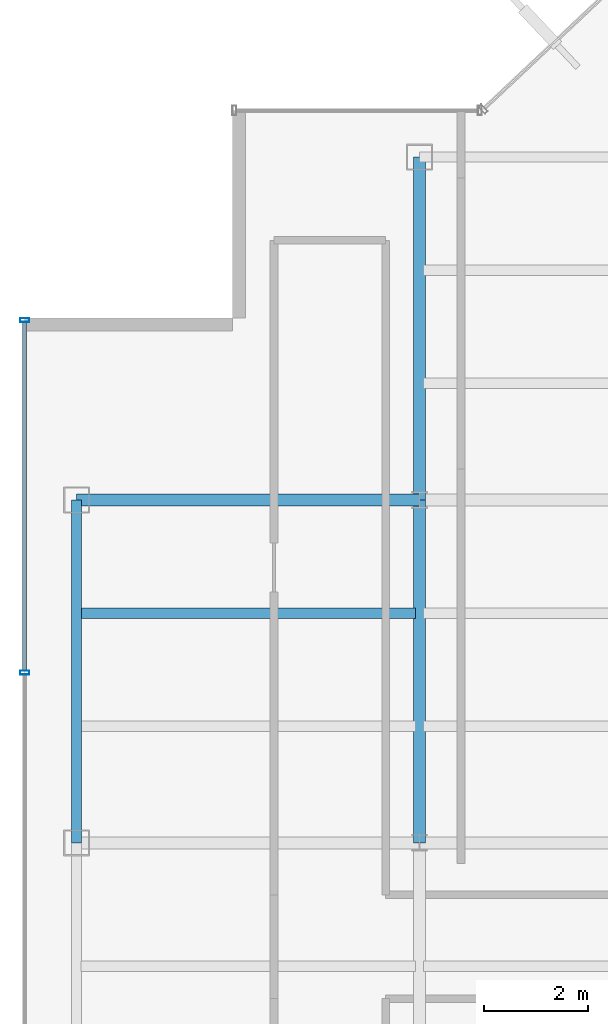
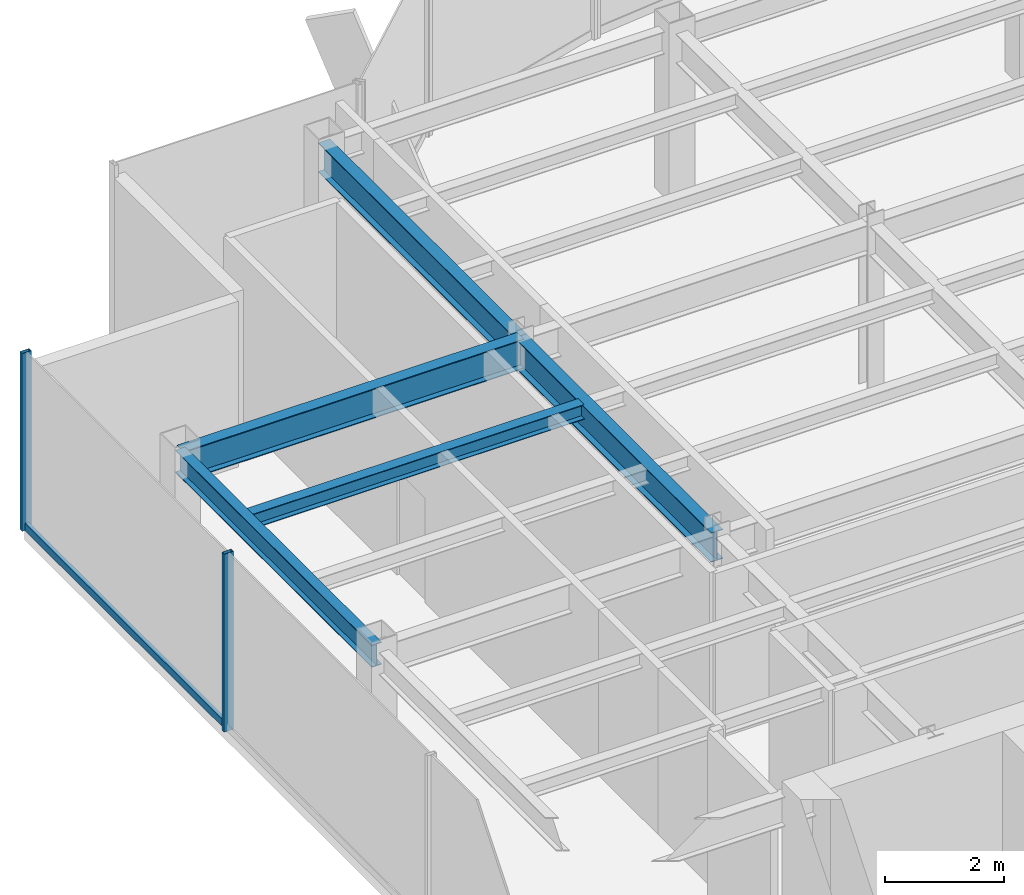
# One storey, part 7 of 22: 5 beams, 3 members, 1 element without a shape of its own.
"""IFC4 building model written with IfcOpenShell, lengths in metres."""

from ifc_helpers import new_model, si_unit, derived_unit, direction, frame, origin, origin_2d, place, context, subcontext, project, spatial, hollow_rectangle, i_section, extrude, source, transform, mapped, material, material_profile, profile_set, type_object, element, aggregate, save


model = new_model("IFC4")

# Units and contexts
model_context = context("Model", 3, precision=1e-05, world=origin(), true_north=direction((0.0, 1.0)))
body_context = subcontext(model_context, "Body", "Model", "MODEL_VIEW")
ifc_project = project(units=[si_unit("LENGTHUNIT", "METRE"), si_unit("AREAUNIT", "SQUARE_METRE"), si_unit("VOLUMEUNIT", "CUBIC_METRE"), si_unit("PLANEANGLEUNIT", "RADIAN"), si_unit("MASSUNIT", "GRAM", prefix="KILO"), derived_unit("THERMALTRANSMITTANCEUNIT", [(si_unit("POWERUNIT", "WATT"), 1), (si_unit("LENGTHUNIT", "METRE"), -2), (si_unit("THERMODYNAMICTEMPERATUREUNIT", "KELVIN"), -1)])], contexts=[model_context])

# Site, building, storey
site_placement = place(None, origin())
site = spatial("IfcSite", under=ifc_project, at=site_placement, CompositionType="ELEMENT")
building_placement = place(site_placement, origin())
building = spatial("IfcBuilding", under=site, at=building_placement, Name="Skarnbrae Concourse Arena and Tower", CompositionType="ELEMENT")
storey_placement = place(building_placement, frame((0.0, 0.0, 262.449951171875)))
storey = spatial("IfcBuildingStorey", under=building, at=storey_placement, Name="L68", CompositionType="ELEMENT", Elevation=262.449951171875)

# Beams
ifc_material_1 = material(Name="Steel CSA G40.21 350W", Category="steel")
ifc_material_profile_1 = material_profile(ifc_material_1, i_section(OverallWidth=0.22802734375, OverallDepth=0.60791015625, WebThickness=0.01123046875, FlangeThickness=0.017333984375, at=origin_2d()), Name="W610X113")
ifc_profile_set_1 = profile_set([ifc_material_profile_1], Name="Steel CSA G40.21 350W")
beam_type_1 = type_object("IfcBeamType", Name="BM-GIRD-W610X113", PredefinedType="BEAM", material=ifc_profile_set_1)
shared_shape_1 = source(origin(), body_context, "Body", "SweptSolid", [
    extrude(i_section(OverallWidth=0.22802734375, OverallDepth=0.60791015625, WebThickness=0.01123046875, FlangeThickness=0.017333984375, at=origin_2d()), origin(), (0.0, 0.0, 1.0), 6.60009765625),
])
for number, where, z_axis, x_axis, name in (
    (1, (1.0, 27.800048828125, 3.095947265625), (1.0, 0.0, 0.0), (0.0, 1.0, 0.0), "L68 Primary E-W girder Y27.8-1"),
    (2, (7.60009765625, 21.199951171875, 3.095947265625), (0.0, 1.0, 0.0), (-1.0, 0.0, 0.0), "L68 Primary N-S girder X7.6-2"),
):
    element("IfcBeam", number, at=place(storey_placement, frame(where, z_axis=z_axis, x_axis=x_axis)), inside=storey, type_object=beam_type_1, Name=name, PredefinedType="BEAM", context=body_context, shape_type="MappedRepresentation", body=[
        mapped(shared_shape_1, transform((0.0, 0.0, 0.0))),
    ])
ifc_material_profile_2 = material_profile(ifc_material_1, i_section(OverallWidth=0.19091796875, OverallDepth=0.4599609375, WebThickness=0.010009765625, FlangeThickness=0.01611328125, at=origin_2d()), Name="W460X82")
ifc_profile_set_2 = profile_set([ifc_material_profile_2], Name="Steel CSA G40.21 350W")
beam_type_2 = type_object("IfcBeamType", Name="BM-SPAN-W460X82", PredefinedType="SPANDREL", material=ifc_profile_set_2)
shared_shape_2 = source(origin(), body_context, "Body", "SweptSolid", [
    extrude(i_section(OverallWidth=0.19091796875, OverallDepth=0.4599609375, WebThickness=0.010009765625, FlangeThickness=0.01611328125, at=origin_2d()), origin(), (0.0, 0.0, 1.0), 6.60009765625),
])
beam_1_placement = place(storey_placement, frame((1.0, 21.199951171875, 3.170166015625), z_axis=(0.0, 1.0, 0.0), x_axis=(-1.0, 0.0, 0.0)))
element("IfcBeam", 3, at=beam_1_placement, inside=storey, type_object=beam_type_2, Name="L68 Perimeter spandrel X1.0-3", PredefinedType="SPANDREL", context=body_context, shape_type="MappedRepresentation", body=[
    mapped(shared_shape_2, transform((0.0, 0.0, 0.0))),
])
shared_shape_3 = source(origin(), body_context, "Body", "SweptSolid", [
    extrude(i_section(OverallWidth=0.22802734375, OverallDepth=0.60791015625, WebThickness=0.01123046875, FlangeThickness=0.017333984375, at=origin_2d()), origin(), (0.0, 0.0, 1.0), 6.599853515625),
])
beam_2_placement = place(storey_placement, frame((7.60009765625, 27.800048828125, 3.095947265625), z_axis=(0.0, 1.0, 0.0), x_axis=(-1.0, 0.0, 0.0)))
element("IfcBeam", 4, at=beam_2_placement, inside=storey, type_object=beam_type_1, Name="L68 Primary N-S girder X7.6-3", PredefinedType="BEAM", context=body_context, shape_type="MappedRepresentation", body=[
    mapped(shared_shape_3, transform((0.0, 0.0, 0.0))),
])
ifc_material_profile_3 = material_profile(ifc_material_1, i_section(OverallWidth=0.202880859375, OverallDepth=0.302978515625, WebThickness=0.007568359375, FlangeThickness=0.01318359375, at=origin_2d()), Name="W310X60")
ifc_profile_set_3 = profile_set([ifc_material_profile_3], Name="Steel CSA G40.21 350W")
beam_type_3 = type_object("IfcBeamType", Name="BM-JOIST-W310X60", PredefinedType="JOIST", material=ifc_profile_set_3)
shared_shape_4 = source(origin(), body_context, "Body", "SweptSolid", [
    extrude(i_section(OverallWidth=0.202880859375, OverallDepth=0.302978515625, WebThickness=0.007568359375, FlangeThickness=0.01318359375, at=origin_2d()), origin(), (0.0, 0.0, 1.0), 6.43994140625),
])
beam_3_placement = place(storey_placement, frame((1.080078125, 25.6220703125, 3.24853515625), z_axis=(1.0, 0.0, 0.0), x_axis=(0.0, 1.0, 0.0)))
element("IfcBeam", 5, at=beam_3_placement, inside=storey, type_object=beam_type_3, Name="L68 Secondary floor joist 2.2.1", PredefinedType="JOIST", context=body_context, shape_type="MappedRepresentation", body=[
    mapped(shared_shape_4, transform((0.0, 0.0, 0.0))),
])

# Curtain wall, members
ifc_material_2 = material(Name="Bronze anodised aluminium 6063-T6", Category="aluminium")
curtain_wall_type = type_object("IfcCurtainWallType", Name="CW-SYS-05-HIGHZONE", PredefinedType="USERDEFINED", material=ifc_material_2)
curtain_wall_placement = place(storey_placement, origin())
curtain_wall = element("IfcCurtainWall", 6, at=curtain_wall_placement, inside=storey, type_object=curtain_wall_type, Name="L68 Unitised curtain wall CW-L68-E18", ObjectType="UNITISED CURTAIN WALL", PredefinedType="USERDEFINED")
ifc_material_profile_4 = material_profile(ifc_material_2, hollow_rectangle(XDim=0.074951171875, YDim=0.14990234375, WallThickness=0.00390625, at=origin_2d()), Name="ALU-TRAN-75X150")
ifc_profile_set_4 = profile_set([ifc_material_profile_4], Name="Bronze anodised aluminium 6063-T6")
member_type_1 = type_object("IfcMemberType", Name="CWT-CW-05", PredefinedType="USERDEFINED", material=ifc_profile_set_4)
shared_shape_5 = source(origin(), body_context, "Body", "SweptSolid", [
    extrude(hollow_rectangle(XDim=0.074951171875, YDim=0.14990234375, WallThickness=0.00390625, at=origin_2d()), origin(), (0.0, 0.0, 1.0), 6.712646484375),
])
member_1_placement = place(storey_placement, frame((0.0, 31.22509765625, 0.074951171875), z_axis=(0.0, -1.0, 0.0), x_axis=(1.0, 0.0, 0.0)))
member_1 = element("IfcMember", 7, at=member_1_placement, type_object=member_type_1, Name="CW-L68-E18 Transom 1", ObjectType="TRANSOM", PredefinedType="USERDEFINED", context=body_context, shape_type="MappedRepresentation", body=[
    mapped(shared_shape_5, transform((0.0, 0.0, 0.0))),
])
ifc_material_profile_5 = material_profile(ifc_material_2, hollow_rectangle(XDim=0.074951171875, YDim=0.179931640625, WallThickness=0.00390625, at=origin_2d()), Name="ALU-MULL-75X180")
ifc_profile_set_5 = profile_set([ifc_material_profile_5], Name="Bronze anodised aluminium 6063-T6")
member_type_2 = type_object("IfcMemberType", Name="CWM-CW-05", PredefinedType="MULLION", material=ifc_profile_set_5)
shared_shape_6 = source(origin(), body_context, "Body", "SweptSolid", [
    extrude(hollow_rectangle(XDim=0.074951171875, YDim=0.179931640625, WallThickness=0.00390625, at=origin_2d()), origin(), (0.0, 0.0, 1.0), 3.650146484375),
])
member_2_placement = place(storey_placement, frame((0.0, 31.262451171875, 0.0), z_axis=(0.0, 0.0, 1.0), x_axis=(0.0, -1.0, 0.0)))
member_2 = element("IfcMember", 8, at=member_2_placement, type_object=member_type_2, Name="CW-L68-E18 Mullion 1", PredefinedType="MULLION", context=body_context, shape_type="MappedRepresentation", body=[
    mapped(shared_shape_6, transform((0.0, 0.0, 0.0))),
])
member_3_placement = place(storey_placement, frame((0.0, 24.47509765625, 0.0), z_axis=(0.0, 0.0, 1.0), x_axis=(0.0, -1.0, 0.0)))
member_3 = element("IfcMember", 9, at=member_3_placement, type_object=member_type_2, Name="CW-L68-E18 Mullion 2", PredefinedType="MULLION", context=body_context, shape_type="MappedRepresentation", body=[
    mapped(shared_shape_6, transform((0.0, 0.0, 0.0))),
])
aggregate(curtain_wall, [member_2, member_3, member_1])

save(model, "model.ifc")
